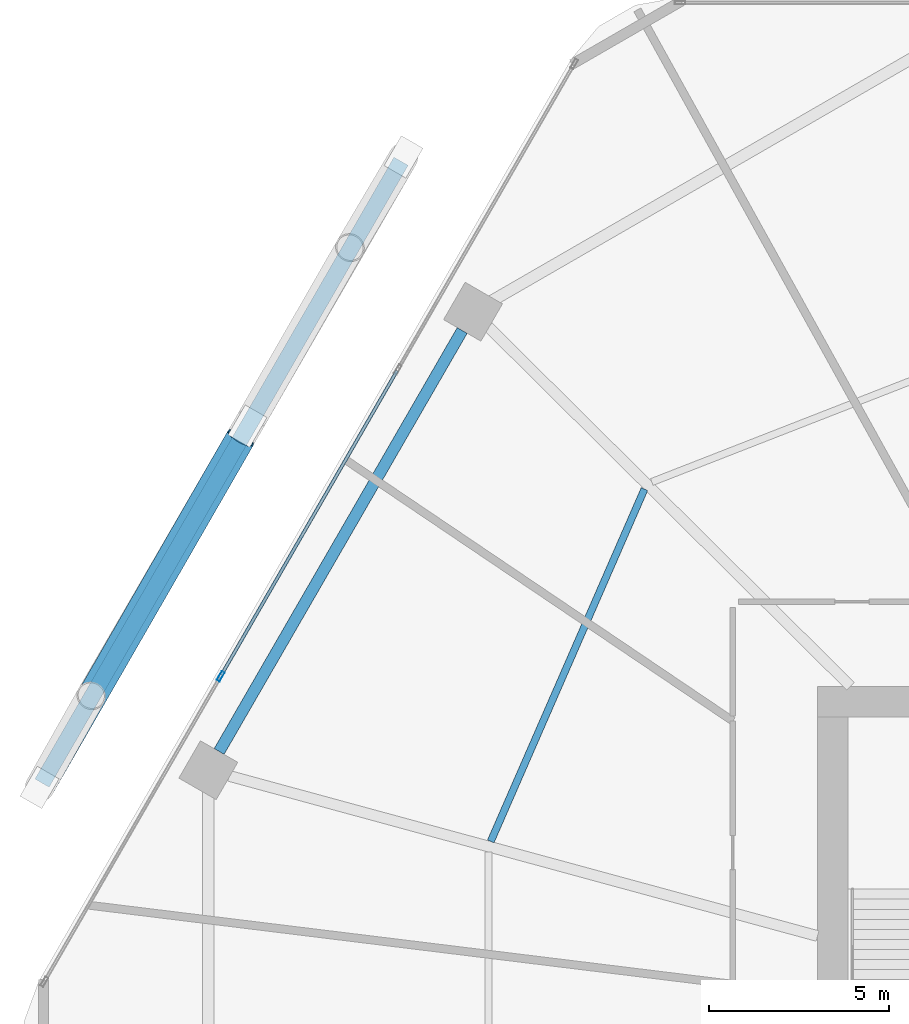
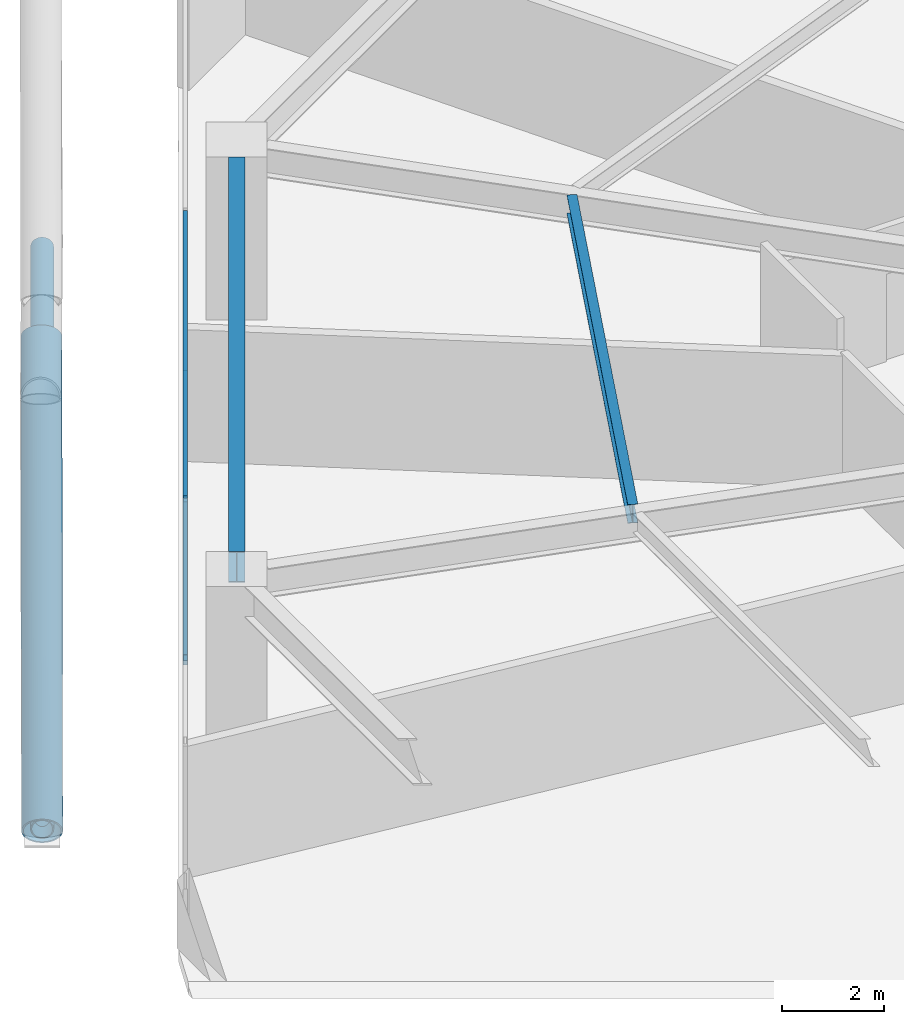
# One storey, part 14 of 28: 5 members, 2 beams, 1 element without a shape of its own.
"""IFC4 building model written with IfcOpenShell, lengths in metres."""

import ifcopenshell
import ifcopenshell.guid

model = None  # the IFC model being written
_history = None  # IfcOwnerHistory: only IFC2X3 demands one
_inside = {}  # id of a spatial element -> (the spatial element, [elements in it])
_under = {}  # id of a project, library or spatial element -> (it, [spatial elements below it])
_declared = {}  # id of a project -> (the project, [libraries it declares])
_typed = {}  # id of a type object -> (the type object, [elements of that type])
_made_of = {}  # id of a material, layer set ... -> (it, [elements and type objects made of it])


def new_model(schema):
    """Start an empty IFC model of exactly this schema.

    Asked for "IFC4X3", IfcOpenShell would pick the latest addendum, in which some entities
    have other attributes; the version numbers below select the first issue.
    IFC2X3 requires an IfcOwnerHistory on every rooted entity: one is made here for all.
    """
    global model, _history
    if schema == "IFC4X3":
        model = ifcopenshell.file(schema_version=(4, 3, 0, 0))
    else:
        model = ifcopenshell.file(schema=schema)
    _inside.clear()
    _under.clear()
    _declared.clear()
    _typed.clear()
    _made_of.clear()
    _history = None
    if model.schema == "IFC2X3":
        org = make("IfcOrganization", Name="unknown")
        user = make(
            "IfcPersonAndOrganization",
            ThePerson=make("IfcPerson", FamilyName="unknown"),
            TheOrganization=org,
        )
        app = make(
            "IfcApplication",
            ApplicationDeveloper=org,
            Version="unknown",
            ApplicationFullName="unknown",
            ApplicationIdentifier="unknown",
        )
        _history = make(
            "IfcOwnerHistory",
            OwningUser=user,
            OwningApplication=app,
            ChangeAction="ADDED",
            CreationDate=0,
        )
    return model


def make(cls, **values):
    """One entity of the class cls with the attributes given. An attribute that is None is left unset."""
    return model.create_entity(
        cls, **{name: value for name, value in values.items() if value is not None}
    )


def rooted(cls, **values):
    """An entity with a GlobalId (a new one), such as an element, a storey or a relation."""
    return make(cls, GlobalId=ifcopenshell.guid.new(), OwnerHistory=_history, **values)


def si_unit(unit_type, name, prefix=None):
    """IfcSIUnit, for example si_unit("LENGTHUNIT", "METRE", prefix="MILLI")."""
    return make("IfcSIUnit", UnitType=unit_type, Prefix=prefix, Name=name)


def assignment(units):
    """IfcUnitAssignment: the units of a project."""
    return None if units is None else make("IfcUnitAssignment", Units=units)


def point(xyz):
    """IfcCartesianPoint."""
    return None if xyz is None else make("IfcCartesianPoint", Coordinates=xyz)


def direction(xyz):
    """IfcDirection."""
    return None if xyz is None else make("IfcDirection", DirectionRatios=xyz)


def frame(location, z_axis=None, x_axis=None):
    """IfcAxis2Placement3D, a coordinate frame: its origin and axes. An axis left out is left unset."""
    return make(
        "IfcAxis2Placement3D",
        Location=point(location),
        Axis=direction(z_axis),
        RefDirection=direction(x_axis),
    )


def frame_2d(location, x_axis=None):
    """IfcAxis2Placement2D, a coordinate frame in the plane: its origin and x axis."""
    return make(
        "IfcAxis2Placement2D", Location=point(location), RefDirection=direction(x_axis)
    )


def origin():
    """The frame at (0, 0, 0) with its axes left unset."""
    return frame((0.0, 0.0, 0.0))


def origin_2d():
    """The frame at (0, 0) in the plane with its x axis left unset."""
    return frame_2d((0.0, 0.0))


def place(relative_to, where):
    """IfcLocalPlacement: puts the frame where relative to a parent placement (None: the world)."""
    return make(
        "IfcLocalPlacement", PlacementRelTo=relative_to, RelativePlacement=where
    )


def context(
    kind, dimensions, precision=None, world=None, true_north=None, identifier=None
):
    """IfcGeometricRepresentationContext, for example the 3D "Model" context."""
    return make(
        "IfcGeometricRepresentationContext",
        ContextIdentifier=identifier,
        ContextType=kind,
        CoordinateSpaceDimension=dimensions,
        Precision=precision,
        WorldCoordinateSystem=world,
        TrueNorth=true_north,
    )


def subcontext(parent, identifier, kind, view, scale=None):
    """IfcGeometricRepresentationSubContext, for example "Body" below "Model"."""
    return make(
        "IfcGeometricRepresentationSubContext",
        ContextIdentifier=identifier,
        ContextType=kind,
        ParentContext=parent,
        TargetScale=scale,
        TargetView=view,
    )


def project(units=None, contexts=None):
    """IfcProject with its units and contexts."""
    return rooted(
        "IfcProject",
        Name="project",
        RepresentationContexts=contexts,
        UnitsInContext=assignment(units),
    )


def spatial(cls, under=None, at=None, **own):
    """A site, building, storey or space (cls), placed at a placement, below another one or the project."""
    s = rooted(cls, ObjectPlacement=at, **own)
    if under is not None:
        _under.setdefault(under.id(), (under, []))[1].append(s)
    return s


def profile(cls, at=None, kind="AREA", **sizes):
    """A parametric profile (cls). Its sizes go by their IFC names, for example OverallWidth=200.0."""
    return make(cls, ProfileType=kind, Position=at, **sizes)


def hollow_rectangle(**sizes):
    """IfcRectangleHollowProfileDef."""
    return profile("IfcRectangleHollowProfileDef", **sizes)


def hollow_circle(**sizes):
    """IfcCircleHollowProfileDef."""
    return profile("IfcCircleHollowProfileDef", **sizes)


def i_section(**sizes):
    """IfcIShapeProfileDef."""
    return profile("IfcIShapeProfileDef", **sizes)


def extrude(swept, where, along, depth):
    """IfcExtrudedAreaSolid: the profile swept, set in the frame where, extruded along a direction by depth."""
    return make(
        "IfcExtrudedAreaSolid",
        SweptArea=swept,
        Position=where,
        ExtrudedDirection=direction(along),
        Depth=depth,
    )


def shape(context_of_items, identifier, shape_type, items):
    """IfcShapeRepresentation: the items that make up one representation, for example the "Body"."""
    return make(
        "IfcShapeRepresentation",
        ContextOfItems=context_of_items,
        RepresentationIdentifier=identifier,
        RepresentationType=shape_type,
        Items=items,
    )


def material(Name=None, Category=None):
    """IfcMaterial."""
    return make("IfcMaterial", Name=Name, Category=Category)


def material_profile(
    of_material, cross_section, Name=None, Category=None, Priority=None
):
    """IfcMaterialProfile: a cross section and its material."""
    return make(
        "IfcMaterialProfile",
        Name=Name,
        Material=of_material,
        Profile=cross_section,
        Priority=Priority,
        Category=Category,
    )


def profile_set(profiles, Name=None, composite=None):
    """IfcMaterialProfileSet."""
    return make(
        "IfcMaterialProfileSet",
        Name=Name,
        MaterialProfiles=profiles,
        CompositeProfile=composite,
    )


def made_of(thing, what):
    """Note that an element or type object is made of a material, layer set ...; save() writes the relation."""
    if what is not None:
        _made_of.setdefault(what.id(), (what, []))[1].append(thing)
    return thing


def type_object(cls, material=None, **own):
    """A type object (cls), such as IfcWallType, which elements share."""
    return made_of(rooted(cls, **own), material)


def element(
    cls,
    number,
    at=None,
    inside=None,
    cuts=None,
    type_object=None,
    material=None,
    context=None,
    identifier="Body",
    shape_type=None,
    held_by="IfcProductDefinitionShape",
    body=None,
    shapes=None,
    **own,
):
    """One element of the class cls, such as IfcWall. Its Tag is "e" and its number.

    at: its placement. inside: the storey or other place that contains it. cuts: it is an
    opening in that element (IfcRelVoidsElement). A single representation is given by context,
    identifier, shape_type and body (its items); several are given by shapes. held_by: the class
    of the entity that holds the representations. save() writes the other relations.
    """
    e = rooted(cls, Tag="e%d" % number, ObjectPlacement=at, **own)
    if body is not None:
        shapes = [shape(context, identifier, shape_type, body)]
    if shapes is not None:
        e.Representation = make(held_by, Representations=shapes)
    if inside is not None:
        _inside.setdefault(inside.id(), (inside, []))[1].append(e)
    if cuts is not None:
        rooted(
            "IfcRelVoidsElement", RelatingBuildingElement=cuts, RelatedOpeningElement=e
        )
    if type_object is not None:
        _typed.setdefault(type_object.id(), (type_object, []))[1].append(e)
    return made_of(e, material)


def aggregate(whole, parts):
    """IfcRelAggregates: a whole, such as a stair, and the parts it consists of."""
    return rooted("IfcRelAggregates", RelatingObject=whole, RelatedObjects=parts)


def save(model, path):
    """Write the relations noted so far, then the file.

    IfcRelAggregates (storeys below a building ...), IfcRelContainedInSpatialStructure (elements
    in a storey), IfcRelDefinesByType, IfcRelAssociatesMaterial and IfcRelDeclares: one each for
    every whole, place, type object, material and project.
    """
    for whole, parts in _under.values():
        aggregate(whole, parts)
    for where, things in _inside.values():
        rooted(
            "IfcRelContainedInSpatialStructure",
            RelatedElements=things,
            RelatingStructure=where,
        )
    for kind, things in _typed.values():
        rooted("IfcRelDefinesByType", RelatedObjects=things, RelatingType=kind)
    for what, things in _made_of.values():
        rooted("IfcRelAssociatesMaterial", RelatedObjects=things, RelatingMaterial=what)
    for by, libraries in _declared.values():
        rooted("IfcRelDeclares", RelatingContext=by, RelatedDefinitions=libraries)
    model.write(path)


model = new_model("IFC4")

# Units and contexts
model_context = context("Model", 3, precision=1e-05, world=origin(), true_north=direction((0.0, 1.0)))
body_context = subcontext(model_context, "Body", "Model", "MODEL_VIEW")
ifc_project = project(units=[si_unit("LENGTHUNIT", "METRE"), si_unit("AREAUNIT", "SQUARE_METRE"), si_unit("VOLUMEUNIT", "CUBIC_METRE"), si_unit("PLANEANGLEUNIT", "RADIAN"), si_unit("MASSUNIT", "GRAM", prefix="KILO")], contexts=[model_context])

# Site, building, storey
site_placement = place(None, origin())
site = spatial("IfcSite", under=ifc_project, at=site_placement, CompositionType="ELEMENT")
building_placement = place(site_placement, origin())
building = spatial("IfcBuilding", under=site, at=building_placement, Name="Zuhravey Tower", CompositionType="ELEMENT")
storey_placement = place(building_placement, frame((0.0, 0.0, 24.60009765625)))
storey = spatial("IfcBuildingStorey", under=building, at=storey_placement, Name="L06", CompositionType="ELEMENT", Elevation=24.60009765625)

# Curtain wall, members
ifc_material_1 = material(Name="Thermally broken anodised aluminium", Category="aluminium")
curtain_wall_type = type_object("IfcCurtainWallType", Name="School Low-E Unitised Curtain Wall CW1", PredefinedType="NOTDEFINED", material=ifc_material_1)
curtain_wall_placement = place(storey_placement, origin())
curtain_wall = element("IfcCurtainWall", 1, at=curtain_wall_placement, inside=storey, type_object=curtain_wall_type, Name="L06 CW1 CW-L06-F3-1", PredefinedType="NOTDEFINED")
ifc_material_2 = material(Name="Anodised aluminium", Category="aluminium")
ifc_material_profile_1 = material_profile(ifc_material_2, hollow_rectangle(XDim=0.090087890625, YDim=0.284912109375, WallThickness=0.0048828125, at=origin_2d()), Name="ALU-RHS-90x285x5")
ifc_profile_set_1 = profile_set([ifc_material_profile_1], Name="Anodised aluminium")
member_type_1 = type_object("IfcMemberType", Name="Curtain-Wall Mullion 90x180", PredefinedType="MULLION", material=ifc_profile_set_1)
member_1_placement = place(storey_placement, frame((8.45458984375, 42.20703125, 0.0), z_axis=(0.0, 0.0, 1.0), x_axis=(-0.86602552265, 0.499999794119, 0.0)))
member_1 = element("IfcMember", 2, at=member_1_placement, type_object=member_type_1, Name="CW1 mullion 2", PredefinedType="MULLION", context=body_context, shape_type="SweptSolid", body=[
    extrude(hollow_rectangle(XDim=0.090087890625, YDim=0.284912109375, WallThickness=0.0048828125, at=origin_2d()), origin(), (0.0, 0.0, 1.0), 3.919921875),
])
ifc_material_profile_2 = material_profile(ifc_material_2, hollow_rectangle(XDim=0.090087890625, YDim=0.14990234375, WallThickness=0.0048828125, at=origin_2d()), Name="ALU-RHS-90x150x5")
ifc_profile_set_2 = profile_set([ifc_material_profile_2], Name="Anodised aluminium")
member_type_2 = type_object("IfcMemberType", Name="Curtain-Wall Transom 90x150", PredefinedType="USERDEFINED", material=ifc_profile_set_2)
member_2_placement = place(storey_placement, frame((8.47705078125, 42.245849609375, 0.044921875), z_axis=(0.499990498062, 0.866030889661, 0.0), x_axis=(-0.866030889661, 0.499990498062, 0.0)))
member_2 = element("IfcMember", 3, at=member_2_placement, type_object=member_type_2, Name="CW1 transom 2.1", ObjectType="TRANSOM", PredefinedType="USERDEFINED", context=body_context, shape_type="SweptSolid", body=[
    extrude(hollow_rectangle(XDim=0.090087890625, YDim=0.14990234375, WallThickness=0.0048828125, at=origin_2d()), origin(), (0.0, 0.0, 1.0), 9.776611328125),
])
member_3_placement = place(storey_placement, frame((8.47705078125, 42.245849609375, 3.875), z_axis=(0.499990498062, 0.866030889661, 0.0), x_axis=(-0.866030889661, 0.499990498062, 0.0)))
member_3 = element("IfcMember", 4, at=member_3_placement, type_object=member_type_2, Name="CW1 transom 2.2", ObjectType="TRANSOM", PredefinedType="USERDEFINED", context=body_context, shape_type="SweptSolid", body=[
    extrude(hollow_rectangle(XDim=0.090087890625, YDim=0.14990234375, WallThickness=0.0048828125, at=origin_2d()), origin(), (0.0, 0.0, 1.0), 9.776611328125),
])
aggregate(curtain_wall, [member_1, member_2, member_3])

# Members
ifc_material_3 = material(Name="Steel SM355", Category="steel")
ifc_material_profile_3 = material_profile(ifc_material_3, hollow_circle(Radius=0.228515625, WallThickness=0.02197265625, at=origin_2d()), Name="CHS-457.2x22")
ifc_profile_set_3 = profile_set([ifc_material_profile_3], Name="Steel SM355")
member_type_3 = type_object("IfcMemberType", Name="Exoskeleton Ring Tie CHS457x22", PredefinedType="CHORD", material=ifc_profile_set_3)
member_4_placement = place(storey_placement, frame((13.477294921875, 56.546875, -0.494140625), z_axis=(-0.499987058157, -0.866032875632, 0.0), x_axis=(0.866032875632, -0.499987058157, 0.0)))
element("IfcMember", 5, at=member_4_placement, inside=storey, type_object=member_type_3, Name="L06 Exoskeleton Face 3 Tie EXR1", PredefinedType="CHORD", context=body_context, shape_type="SweptSolid", body=[
    extrude(hollow_circle(Radius=0.228515625, WallThickness=0.02197265625, at=origin_2d()), origin(), (0.0, 0.0, 1.0), 19.99365234375),
])
ifc_material_4 = material(Name="Steel SM460", Category="steel")
ifc_material_profile_4 = material_profile(ifc_material_4, hollow_circle(Radius=0.406494140625, WallThickness=0.035888671875, at=origin_2d()), Name="CHS-812.8x36")
ifc_profile_set_4 = profile_set([ifc_material_profile_4], Name="Steel SM460")
member_type_4 = type_object("IfcMemberType", Name="Exoskeleton Zone 1 Diagrid CHS813x36", PredefinedType="BRACE", material=ifc_profile_set_4)
member_5_placement = place(storey_placement, frame((3.434326171875, 39.151611328125, -0.47705078125), z_axis=(0.469122167686, 0.81496177114, 0.340237715965), x_axis=(-0.866667631609, 0.49888597527, 0.0)))
element("IfcMember", 6, at=member_5_placement, inside=storey, type_object=member_type_4, Name="L06 Face 3 Split Diagrid Brace 3A", PredefinedType="BRACE", context=body_context, shape_type="SweptSolid", body=[
    extrude(hollow_circle(Radius=0.406494140625, WallThickness=0.035888671875, at=origin_2d()), origin(), (0.0, 0.0, 1.0), 11.89794921875),
])

# Beams
ifc_material_profile_5 = material_profile(ifc_material_3, i_section(OverallWidth=0.320068359375, OverallDepth=0.75, WebThickness=0.013916015625, FlangeThickness=0.02490234375, at=origin_2d()), Name="H-750x320x14x25")
ifc_profile_set_5 = profile_set([ifc_material_profile_5], Name="Steel SM355")
beam_type_1 = type_object("IfcBeamType", Name="Perimeter Ring Beam H750x320", PredefinedType="BEAM", material=ifc_profile_set_5)
beam_1_placement = place(storey_placement, frame((15.179443359375, 51.834716796875, 3.544921875), z_axis=(-0.499999877243, -0.866025474658, 0.0), x_axis=(0.866025474658, -0.499999877243, 0.0)))
element("IfcBeam", 7, at=beam_1_placement, inside=storey, type_object=beam_type_1, Name="L06 PB1 BM-L06-PB-05", PredefinedType="BEAM", context=body_context, shape_type="SweptSolid", body=[
    extrude(i_section(OverallWidth=0.320068359375, OverallDepth=0.75, WebThickness=0.013916015625, FlangeThickness=0.02490234375, at=origin_2d()), origin(), (0.0, 0.0, 1.0), 13.5341796875),
])
ifc_material_profile_6 = material_profile(ifc_material_3, i_section(OverallWidth=0.199951171875, OverallDepth=0.449951171875, WebThickness=0.009033203125, FlangeThickness=0.013916015625, at=origin_2d()), Name="H-450x200x9x14")
ifc_profile_set_6 = profile_set([ifc_material_profile_6], Name="Steel SM355")
beam_type_2 = type_object("IfcBeamType", Name="Secondary Floor Joist H450x200", PredefinedType="JOIST", material=ifc_profile_set_6)
beam_2_placement = place(storey_placement, frame((20.2548828125, 47.41845703125, 3.69482421875), z_axis=(-0.399923551578, -0.916548500022, 0.0), x_axis=(0.916548500022, -0.399923551578, 0.0)))
element("IfcBeam", 8, at=beam_2_placement, inside=storey, type_object=beam_type_2, Name="L06 SJ1 BM-L06-SJ-05-1", PredefinedType="JOIST", context=body_context, shape_type="SweptSolid", body=[
    extrude(i_section(OverallWidth=0.199951171875, OverallDepth=0.449951171875, WebThickness=0.009033203125, FlangeThickness=0.013916015625, at=origin_2d()), origin(), (0.0, 0.0, 1.0), 10.70263671875),
])

save(model, "model.ifc")
